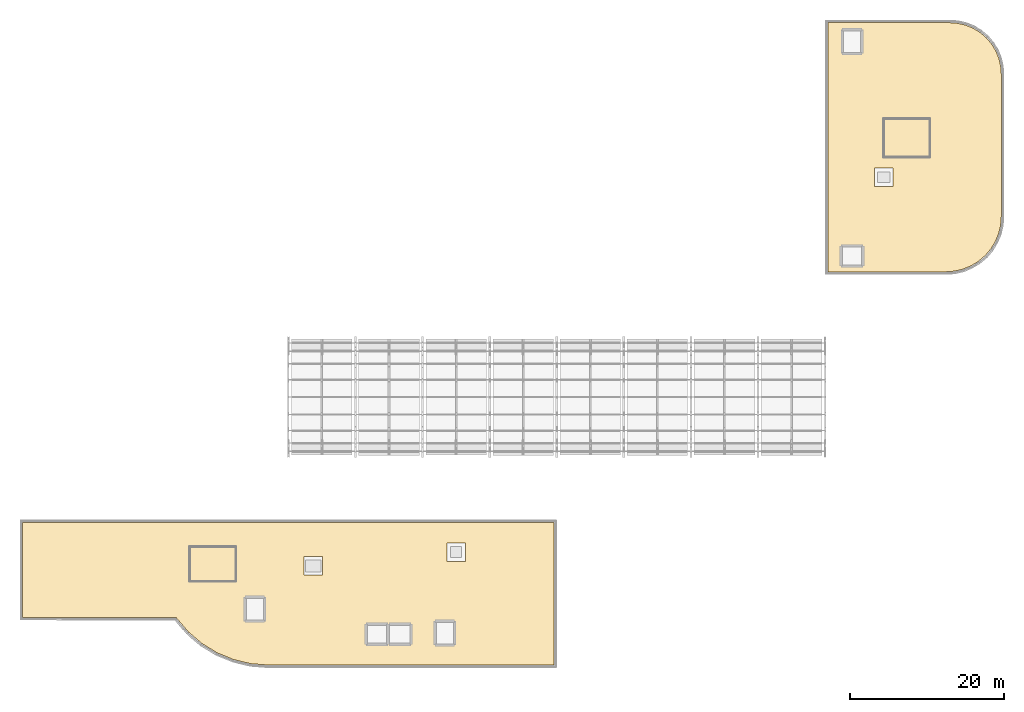
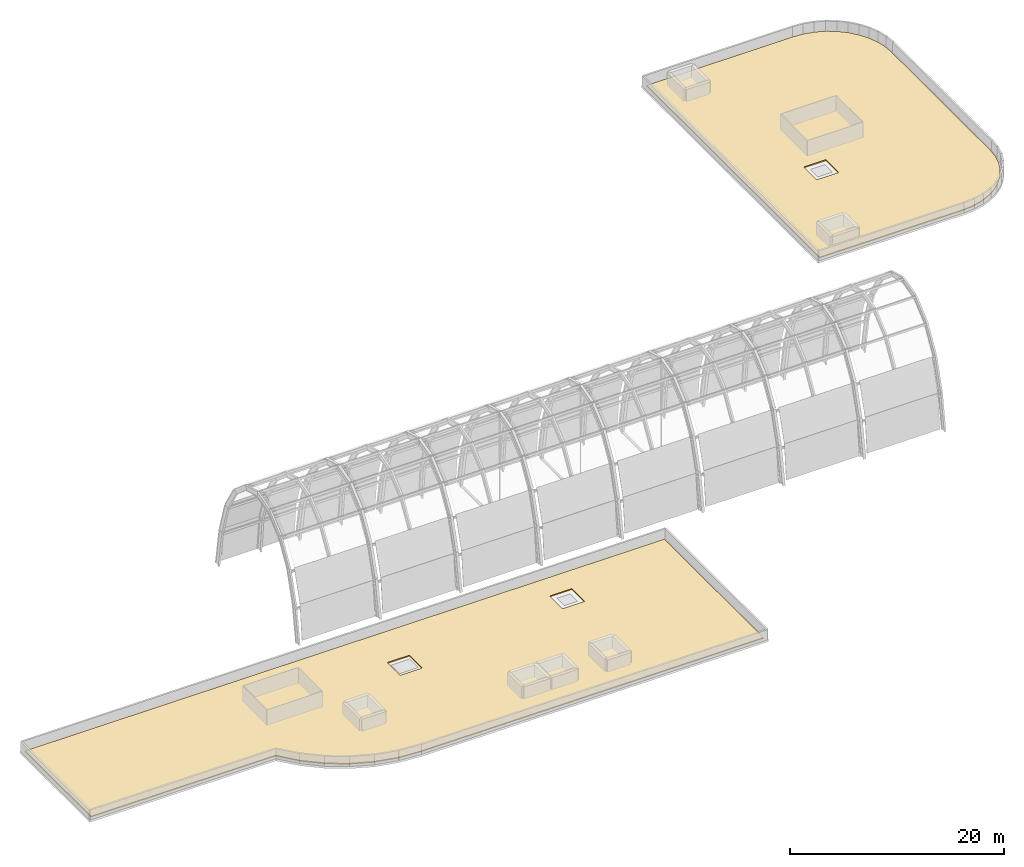
# One storey, part 13 of 13: 2 coverings.
"""IFC4 building model written with IfcOpenShell, lengths in metres."""

import ifcopenshell
import ifcopenshell.guid

model = None  # the IFC model being written
_history = None  # IfcOwnerHistory: only IFC2X3 demands one
_inside = {}  # id of a spatial element -> (the spatial element, [elements in it])
_under = {}  # id of a project, library or spatial element -> (it, [spatial elements below it])
_declared = {}  # id of a project -> (the project, [libraries it declares])
_typed = {}  # id of a type object -> (the type object, [elements of that type])
_made_of = {}  # id of a material, layer set ... -> (it, [elements and type objects made of it])


def new_model(schema):
    """Start an empty IFC model of exactly this schema.

    Asked for "IFC4X3", IfcOpenShell would pick the latest addendum, in which some entities
    have other attributes; the version numbers below select the first issue.
    IFC2X3 requires an IfcOwnerHistory on every rooted entity: one is made here for all.
    """
    global model, _history
    if schema == "IFC4X3":
        model = ifcopenshell.file(schema_version=(4, 3, 0, 0))
    else:
        model = ifcopenshell.file(schema=schema)
    _inside.clear()
    _under.clear()
    _declared.clear()
    _typed.clear()
    _made_of.clear()
    _history = None
    if model.schema == "IFC2X3":
        org = make("IfcOrganization", Name="unknown")
        user = make(
            "IfcPersonAndOrganization",
            ThePerson=make("IfcPerson", FamilyName="unknown"),
            TheOrganization=org,
        )
        app = make(
            "IfcApplication",
            ApplicationDeveloper=org,
            Version="unknown",
            ApplicationFullName="unknown",
            ApplicationIdentifier="unknown",
        )
        _history = make(
            "IfcOwnerHistory",
            OwningUser=user,
            OwningApplication=app,
            ChangeAction="ADDED",
            CreationDate=0,
        )
    return model


def make(cls, **values):
    """One entity of the class cls with the attributes given. An attribute that is None is left unset."""
    return model.create_entity(
        cls, **{name: value for name, value in values.items() if value is not None}
    )


def rooted(cls, **values):
    """An entity with a GlobalId (a new one), such as an element, a storey or a relation."""
    return make(cls, GlobalId=ifcopenshell.guid.new(), OwnerHistory=_history, **values)


def si_unit(unit_type, name, prefix=None):
    """IfcSIUnit, for example si_unit("LENGTHUNIT", "METRE", prefix="MILLI")."""
    return make("IfcSIUnit", UnitType=unit_type, Prefix=prefix, Name=name)


def derived_unit(unit_type, elements):
    """IfcDerivedUnit: a product of units, each with its exponent."""
    return make(
        "IfcDerivedUnit",
        Elements=[
            make("IfcDerivedUnitElement", Unit=unit, Exponent=power)
            for unit, power in elements
        ],
        UnitType=unit_type,
    )


def assignment(units):
    """IfcUnitAssignment: the units of a project."""
    return None if units is None else make("IfcUnitAssignment", Units=units)


def point(xyz):
    """IfcCartesianPoint."""
    return None if xyz is None else make("IfcCartesianPoint", Coordinates=xyz)


def direction(xyz):
    """IfcDirection."""
    return None if xyz is None else make("IfcDirection", DirectionRatios=xyz)


def frame(location, z_axis=None, x_axis=None):
    """IfcAxis2Placement3D, a coordinate frame: its origin and axes. An axis left out is left unset."""
    return make(
        "IfcAxis2Placement3D",
        Location=point(location),
        Axis=direction(z_axis),
        RefDirection=direction(x_axis),
    )


def origin():
    """The frame at (0, 0, 0) with its axes left unset."""
    return frame((0.0, 0.0, 0.0))


def place(relative_to, where):
    """IfcLocalPlacement: puts the frame where relative to a parent placement (None: the world)."""
    return make(
        "IfcLocalPlacement", PlacementRelTo=relative_to, RelativePlacement=where
    )


def context(
    kind, dimensions, precision=None, world=None, true_north=None, identifier=None
):
    """IfcGeometricRepresentationContext, for example the 3D "Model" context."""
    return make(
        "IfcGeometricRepresentationContext",
        ContextIdentifier=identifier,
        ContextType=kind,
        CoordinateSpaceDimension=dimensions,
        Precision=precision,
        WorldCoordinateSystem=world,
        TrueNorth=true_north,
    )


def subcontext(parent, identifier, kind, view, scale=None):
    """IfcGeometricRepresentationSubContext, for example "Body" below "Model"."""
    return make(
        "IfcGeometricRepresentationSubContext",
        ContextIdentifier=identifier,
        ContextType=kind,
        ParentContext=parent,
        TargetScale=scale,
        TargetView=view,
    )


def project(units=None, contexts=None):
    """IfcProject with its units and contexts."""
    return rooted(
        "IfcProject",
        Name="project",
        RepresentationContexts=contexts,
        UnitsInContext=assignment(units),
    )


def spatial(cls, under=None, at=None, **own):
    """A site, building, storey or space (cls), placed at a placement, below another one or the project."""
    s = rooted(cls, ObjectPlacement=at, **own)
    if under is not None:
        _under.setdefault(under.id(), (under, []))[1].append(s)
    return s


def polyline(points):
    """IfcPolyline through the points."""
    return make("IfcPolyline", Points=[point(p) for p in points])


def outline(outer, holes=None, kind="AREA"):
    """IfcArbitraryClosedProfileDef: a profile drawn as a closed curve; with holes, ...WithVoids."""
    if holes is None:
        return make("IfcArbitraryClosedProfileDef", ProfileType=kind, OuterCurve=outer)
    return make(
        "IfcArbitraryProfileDefWithVoids",
        ProfileType=kind,
        OuterCurve=outer,
        InnerCurves=holes,
    )


def extrude(swept, where, along, depth):
    """IfcExtrudedAreaSolid: the profile swept, set in the frame where, extruded along a direction by depth."""
    return make(
        "IfcExtrudedAreaSolid",
        SweptArea=swept,
        Position=where,
        ExtrudedDirection=direction(along),
        Depth=depth,
    )


def shape(context_of_items, identifier, shape_type, items):
    """IfcShapeRepresentation: the items that make up one representation, for example the "Body"."""
    return make(
        "IfcShapeRepresentation",
        ContextOfItems=context_of_items,
        RepresentationIdentifier=identifier,
        RepresentationType=shape_type,
        Items=items,
    )


def material(Name=None, Category=None):
    """IfcMaterial."""
    return make("IfcMaterial", Name=Name, Category=Category)


def layer(
    of_material, thickness, ventilated=None, Name=None, Category=None, Priority=None
):
    """IfcMaterialLayer: one layer of a wall or slab, of a material (None: an air gap)."""
    return make(
        "IfcMaterialLayer",
        Material=of_material,
        LayerThickness=thickness,
        IsVentilated=ventilated,
        Name=Name,
        Category=Category,
        Priority=Priority,
    )


def layer_set(layers, Name=None):
    """IfcMaterialLayerSet."""
    return make("IfcMaterialLayerSet", MaterialLayers=layers, LayerSetName=Name)


def made_of(thing, what):
    """Note that an element or type object is made of a material, layer set ...; save() writes the relation."""
    if what is not None:
        _made_of.setdefault(what.id(), (what, []))[1].append(thing)
    return thing


def type_object(cls, material=None, **own):
    """A type object (cls), such as IfcWallType, which elements share."""
    return made_of(rooted(cls, **own), material)


def element(
    cls,
    number,
    at=None,
    inside=None,
    cuts=None,
    type_object=None,
    material=None,
    context=None,
    identifier="Body",
    shape_type=None,
    held_by="IfcProductDefinitionShape",
    body=None,
    shapes=None,
    **own,
):
    """One element of the class cls, such as IfcWall. Its Tag is "e" and its number.

    at: its placement. inside: the storey or other place that contains it. cuts: it is an
    opening in that element (IfcRelVoidsElement). A single representation is given by context,
    identifier, shape_type and body (its items); several are given by shapes. held_by: the class
    of the entity that holds the representations. save() writes the other relations.
    """
    e = rooted(cls, Tag="e%d" % number, ObjectPlacement=at, **own)
    if body is not None:
        shapes = [shape(context, identifier, shape_type, body)]
    if shapes is not None:
        e.Representation = make(held_by, Representations=shapes)
    if inside is not None:
        _inside.setdefault(inside.id(), (inside, []))[1].append(e)
    if cuts is not None:
        rooted(
            "IfcRelVoidsElement", RelatingBuildingElement=cuts, RelatedOpeningElement=e
        )
    if type_object is not None:
        _typed.setdefault(type_object.id(), (type_object, []))[1].append(e)
    return made_of(e, material)


def aggregate(whole, parts):
    """IfcRelAggregates: a whole, such as a stair, and the parts it consists of."""
    return rooted("IfcRelAggregates", RelatingObject=whole, RelatedObjects=parts)


def save(model, path):
    """Write the relations noted so far, then the file.

    IfcRelAggregates (storeys below a building ...), IfcRelContainedInSpatialStructure (elements
    in a storey), IfcRelDefinesByType, IfcRelAssociatesMaterial and IfcRelDeclares: one each for
    every whole, place, type object, material and project.
    """
    for whole, parts in _under.values():
        aggregate(whole, parts)
    for where, things in _inside.values():
        rooted(
            "IfcRelContainedInSpatialStructure",
            RelatedElements=things,
            RelatingStructure=where,
        )
    for kind, things in _typed.values():
        rooted("IfcRelDefinesByType", RelatedObjects=things, RelatingType=kind)
    for what, things in _made_of.values():
        rooted("IfcRelAssociatesMaterial", RelatedObjects=things, RelatingMaterial=what)
    for by, libraries in _declared.values():
        rooted("IfcRelDeclares", RelatingContext=by, RelatedDefinitions=libraries)
    model.write(path)


model = new_model("IFC4")

# Units and contexts
model_context = context("Model", 3, precision=1e-05, world=origin(), true_north=direction((0.0, 1.0)))
body_context = subcontext(model_context, "Body", "Model", "MODEL_VIEW")
ifc_project = project(units=[si_unit("LENGTHUNIT", "METRE"), si_unit("AREAUNIT", "SQUARE_METRE"), si_unit("VOLUMEUNIT", "CUBIC_METRE"), si_unit("PLANEANGLEUNIT", "RADIAN"), si_unit("MASSUNIT", "GRAM", prefix="KILO"), derived_unit("THERMALTRANSMITTANCEUNIT", [(si_unit("MASSUNIT", "GRAM", prefix="KILO"), 1), (si_unit("TIMEUNIT", "SECOND"), -3), (si_unit("THERMODYNAMICTEMPERATUREUNIT", "KELVIN"), -1)])], contexts=[model_context])

# Site, building, storey
site_placement = place(None, origin())
site = spatial("IfcSite", under=ifc_project, at=site_placement, CompositionType="ELEMENT")
building_placement = place(site_placement, origin())
building = spatial("IfcBuilding", under=site, at=building_placement, Name="Qinzheling Arcade Emporium", CompositionType="ELEMENT")
storey_placement = place(building_placement, frame((0.0, 0.0, 41.10009765625)))
storey = spatial("IfcBuildingStorey", under=building, at=storey_placement, Name="RF", CompositionType="ELEMENT", Elevation=41.10009765625)

# Coverings
ifc_material = material(Name="TPO waterproof membrane over rigid polyisocyanurate insulation")
ifc_layer = layer(ifc_material, 0.1201171875, Name="TPO waterproof membrane over rigid polyisocyanurate insulation")
ifc_layer_set = layer_set([ifc_layer], Name="TPO waterproof membrane over rigid polyisocyanurate insulation")
covering_type = type_object("IfcCoveringType", Name="TPO Waterproof Insulated Roof Membrane 120", PredefinedType="ROOFING", material=ifc_layer_set)
covering_1_placement = place(storey_placement, origin())
element("IfcCovering", 1, at=covering_1_placement, inside=storey, type_object=covering_type, Name="Roof Membrane RF 8", PredefinedType="ROOFING", context=body_context, shape_type="SweptSolid", body=[
    extrude(outline(polyline([(69.25, 23.14990234375), (32.214111328125, 23.14990234375), (29.907958984375, 23.33203125), (27.673095703125, 23.867919921875), (25.549072265625, 24.748046875), (23.589111328125, 25.948974609375), (21.841064453125, 27.44091796875), (20.22705078125, 29.3330078125), (0.35009765625, 29.35009765625), (0.35009765625, 41.64990234375), (69.25, 41.64990234375), (69.25, 23.14990234375)]), holes=[polyline([(57.75, 39.0), (55.35009765625, 39.0), (55.35009765625, 36.60009765625), (57.75, 36.60009765625), (57.75, 39.0)]), polyline([(36.800048828125, 37.199951171875), (36.800048828125, 34.800048828125), (39.199951171875, 34.800048828125), (39.199951171875, 37.199951171875), (36.800048828125, 37.199951171875)])]), origin(), (0.0, 0.0, 1.0), 0.119873046875),
])
covering_2_placement = place(storey_placement, origin())
element("IfcCovering", 2, at=covering_2_placement, inside=storey, type_object=covering_type, Name="Roof Membrane RF 9", PredefinedType="ROOFING", context=body_context, shape_type="SweptSolid", body=[
    extrude(outline(polyline([(120.5859375, 106.449951171875), (121.639892578125, 106.366943359375), (122.654052734375, 106.123046875), (123.618896484375, 105.72412109375), (124.508056640625, 105.178955078125), (125.302001953125, 104.501953125), (125.97900390625, 103.7080078125), (126.52392578125, 102.819091796875), (126.923095703125, 101.85400390625), (127.1669921875, 100.840087890625), (127.25, 99.785888671875), (127.25, 81.31396484375), (127.160888671875, 80.181884765625), (126.89892578125, 79.090087890625), (126.469970703125, 78.053955078125), (125.884033203125, 77.097900390625), (125.155029296875, 76.2451171875), (124.302001953125, 75.51611328125), (123.345947265625, 74.929931640625), (122.31005859375, 74.5009765625), (121.218017578125, 74.239013671875), (120.0859375, 74.14990234375), (104.75, 74.14990234375), (104.75, 106.449951171875), (120.5859375, 106.449951171875)]), holes=[polyline([(113.199951171875, 87.60009765625), (110.800048828125, 87.60009765625), (110.800048828125, 85.199951171875), (113.199951171875, 85.199951171875), (113.199951171875, 87.60009765625)])]), origin(), (0.0, 0.0, 1.0), 0.119873046875),
])

save(model, "model.ifc")
